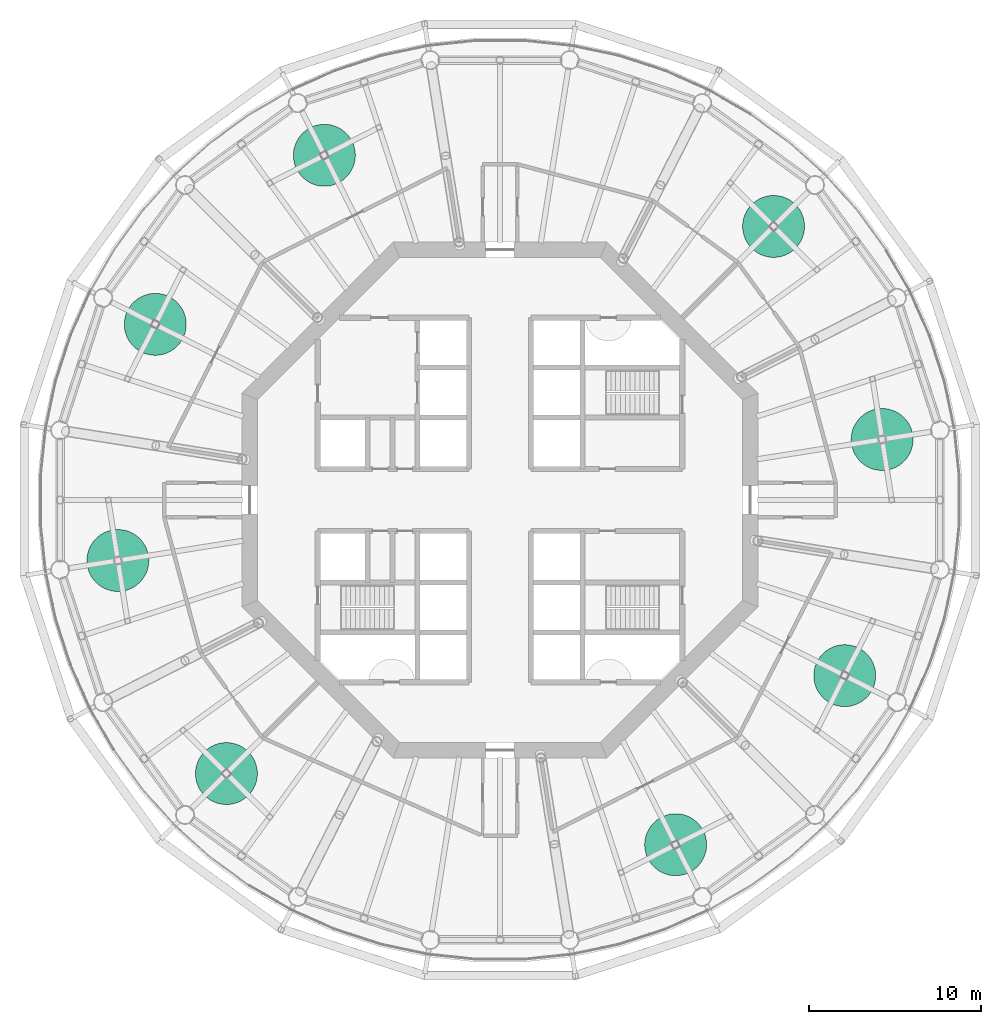
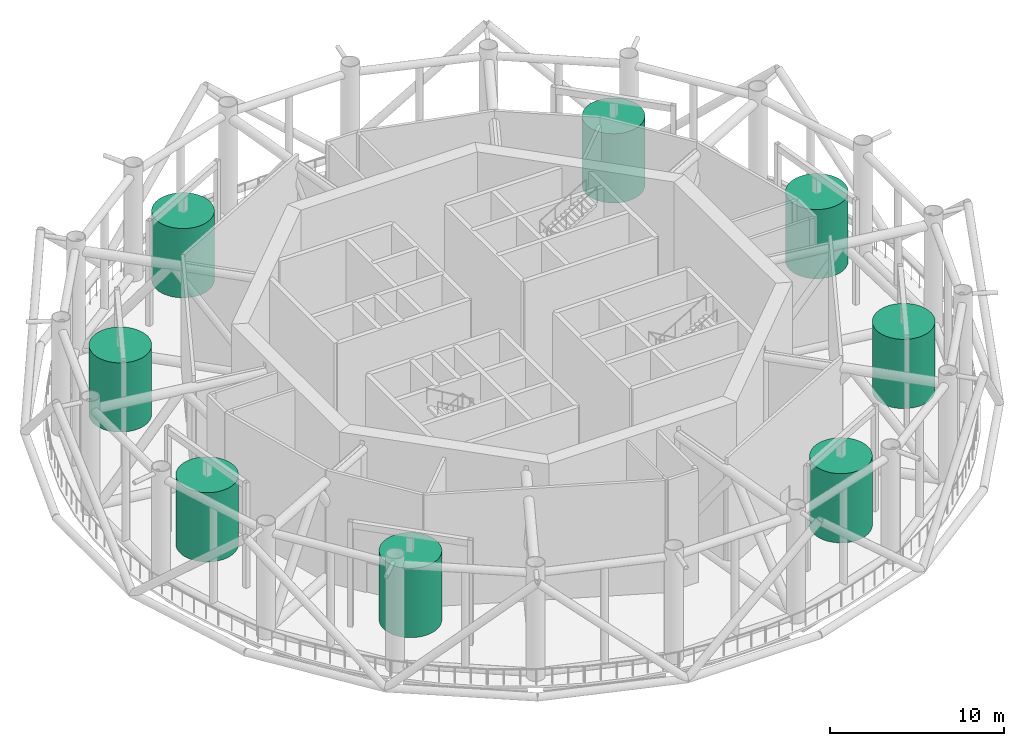
# One storey, part 22 of 22: 8 electric generators.
"""IFC4 building model written with IfcOpenShell, lengths in metres."""

from ifc_helpers import new_model, si_unit, direction, frame, origin, origin_2d, place, context, subcontext, project, spatial, circle, extrude, material, element, save


model = new_model("IFC4")

# Units and contexts
model_context = context("Model", 3, precision=1e-05, world=origin(), true_north=direction((0.0, 1.0)))
body_context = subcontext(model_context, "Body", "Model", "MODEL_VIEW")
ifc_project = project(units=[si_unit("LENGTHUNIT", "METRE"), si_unit("AREAUNIT", "SQUARE_METRE"), si_unit("VOLUMEUNIT", "CUBIC_METRE"), si_unit("PLANEANGLEUNIT", "RADIAN"), si_unit("MASSUNIT", "GRAM", prefix="KILO")], contexts=[model_context])

# Site, building, storey
site_placement = place(None, origin())
site = spatial("IfcSite", under=ifc_project, at=site_placement, CompositionType="ELEMENT")
building_placement = place(site_placement, origin())
building = spatial("IfcBuilding", under=site, at=building_placement, Name="Entoto Ring Tower", CompositionType="ELEMENT")
storey_placement = place(building_placement, frame((0.0, 0.0, 230.0)))
storey = spatial("IfcBuildingStorey", under=building, at=storey_placement, Name="L53", CompositionType="ELEMENT", Elevation=230.0)

# Electric generators
ifc_material = material(Name="Anodised aluminium", Category="aluminium")
for number, where, z_axis, x_axis, name in (
    (1, (112.222900390625, 83.519775390625, 1.050048828125), (0.0, 0.0, 1.0), (1.0, 0.0, 0.0), "Wind turbine"),
    (2, (105.909912109375, 95.909912109375, 1.050048828125), (0.0, 0.0, 1.0), (1.0, 0.0, 0.0), "Wind turbine"),
    (3, (79.78515625, 100.047607421875, 1.050048828125), (0.0, 0.0, 1.0), (1.0, 0.0, 0.0), "Wind turbine"),
    (4, (69.952392578125, 90.21484375, 1.050048828125), (0.0, 0.0, 1.0), (1.0, 0.0, 0.0), "Wind turbine"),
    (5, (67.777099609375, 76.480224609375, 1.050048828125), (0.0, 0.0, 1.0), (1.0, 0.0, 0.0), "Wind turbine"),
    (6, (74.090087890625, 64.090087890625, 1.050048828125), (0.0, 0.0, 1.0), (1.0, 0.0, 0.0), "Wind turbine"),
    (7, (100.21484375, 59.952392578125, 1.050048828125), (0.0, 0.0, 1.0), (1.0, 0.0, 0.0), "Wind turbine"),
    (8, (110.047607421875, 69.78515625, 1.050048828125), (0.0, 0.0, 1.0), (1.0, 0.0, 0.0), "Wind turbine"),
):
    element("IfcElectricGenerator", number, at=place(storey_placement, frame(where, z_axis=z_axis, x_axis=x_axis)), inside=storey, material=ifc_material, Name=name, ObjectType="WIND TURBINE", PredefinedType="USERDEFINED", context=body_context, shape_type="SweptSolid", body=[
        extrude(circle(Radius=1.800048828125, at=origin_2d()), origin(), (0.0, 0.0, 1.0), 4.849853515625),
    ])

save(model, "model.ifc")
